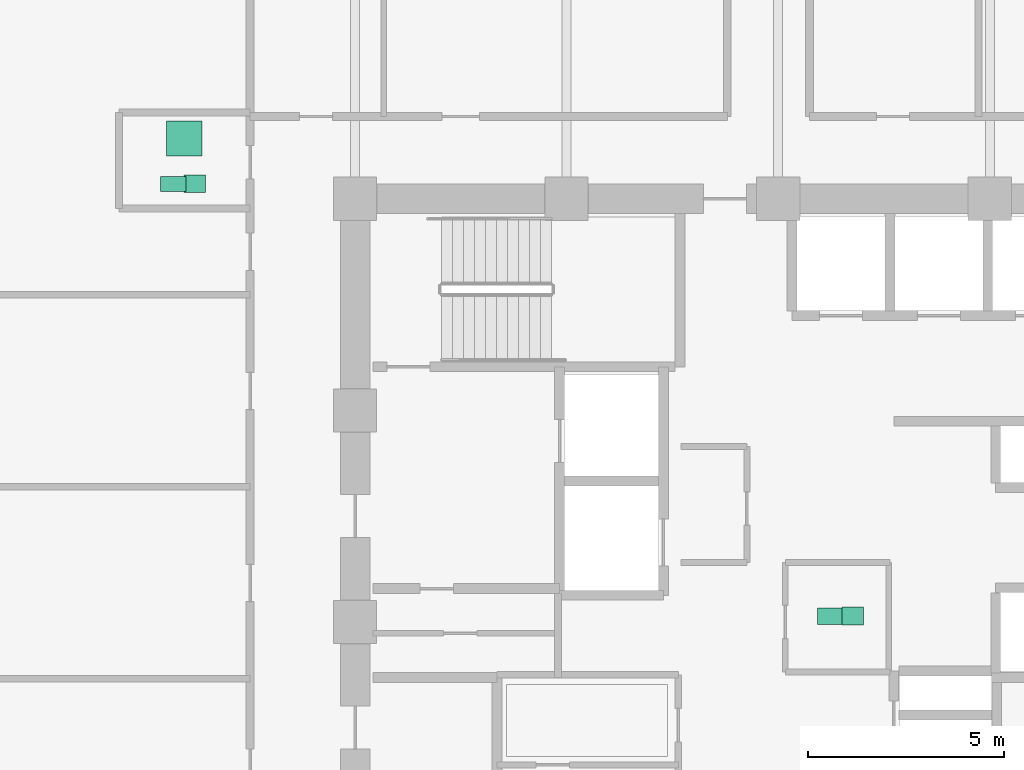
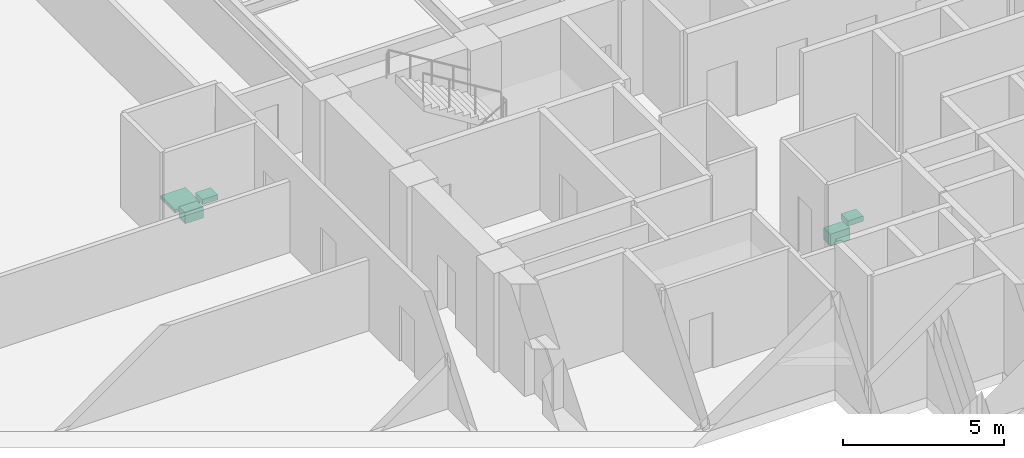
# One storey, part 29 of 30: 5 sanitary terminals.
"""IFC4 building model written with IfcOpenShell, lengths in metres."""

from ifc_helpers import new_model, si_unit, direction, frame, origin, origin_2d, place, context, subcontext, project, spatial, rectangle, extrude, material, type_object, element, save


model = new_model("IFC4")

# Units and contexts
model_context = context("Model", 3, precision=1e-05, world=origin(), true_north=direction((0.0, 1.0)))
body_context = subcontext(model_context, "Body", "Model", "MODEL_VIEW")
ifc_project = project(units=[si_unit("LENGTHUNIT", "METRE"), si_unit("AREAUNIT", "SQUARE_METRE"), si_unit("VOLUMEUNIT", "CUBIC_METRE"), si_unit("PLANEANGLEUNIT", "RADIAN"), si_unit("MASSUNIT", "GRAM", prefix="KILO")], contexts=[model_context])

# Site, building, storey
site_placement = place(None, origin())
site = spatial("IfcSite", under=ifc_project, at=site_placement, CompositionType="ELEMENT")
building_placement = place(site_placement, origin())
building = spatial("IfcBuilding", under=site, at=building_placement, Name="Surkhivell Harbour Commons", CompositionType="ELEMENT")
storey_placement = place(building_placement, frame((0.0, 0.0, 83.25)))
storey = spatial("IfcBuildingStorey", under=building, at=storey_placement, Name="L21", CompositionType="ELEMENT", Elevation=83.25)

# Sanitary terminals
ifc_material_1 = material(Name="Vitreous china washbasin", Category="other")
sanitary_terminal_type_1 = type_object("IfcSanitaryTerminalType", Name="SAN-BSN", PredefinedType="WASHHANDBASIN", material=ifc_material_1)
for number, where, z_axis, x_axis, name in (
    (1, (1.89990234375, 0.14990234375, 0.72021484375), (0.0, 0.0, 1.0), (1.0, 0.0, 0.0), "L21 Core Accessible WC Washbasin"),
    (2, (-14.889892578125, 11.179931640625, 0.72021484375), (0.0, 0.0, 1.0), (1.0, 0.0, 0.0), "L21 West Communal Bathroom WC Washbasin"),
):
    element("IfcSanitaryTerminal", number, at=place(storey_placement, frame(where, z_axis=z_axis, x_axis=x_axis)), inside=storey, type_object=sanitary_terminal_type_1, Name=name, PredefinedType="WASHHANDBASIN", context=body_context, shape_type="SweptSolid", body=[
        extrude(rectangle(XDim=0.550048828125, YDim=0.449951171875, at=origin_2d()), origin(), (0.0, 0.0, 1.0), 0.199951171875),
    ])
ifc_material_2 = material(Name="Glazed porcelain shower tray", Category="other")
sanitary_terminal_type_2 = type_object("IfcSanitaryTerminalType", Name="SAN-SHW", PredefinedType="SHOWER", material=ifc_material_2)
sanitary_terminal_1_placement = place(storey_placement, frame((-15.159912109375, 12.340087890625, 0.0), z_axis=(0.0, 0.0, 1.0), x_axis=(1.0, 0.0, 0.0)))
element("IfcSanitaryTerminal", 3, at=sanitary_terminal_1_placement, inside=storey, type_object=sanitary_terminal_type_2, Name="L21 West Communal Shower Tray", PredefinedType="SHOWER", context=body_context, shape_type="SweptSolid", body=[
    extrude(rectangle(XDim=0.89990234375, YDim=0.89990234375, at=origin_2d()), origin(), (0.0, 0.0, 1.0), 0.1201171875),
])
ifc_material_3 = material(Name="Vitreous china sanitaryware", Category="other")
sanitary_terminal_type_3 = type_object("IfcSanitaryTerminalType", Name="SAN-WC-ACC", PredefinedType="TOILETPAN", material=ifc_material_3)
sanitary_terminal_2_placement = place(storey_placement, frame((1.35009765625, 0.14990234375, 0.169921875), z_axis=(0.0, 0.0, 1.0), x_axis=(1.0, 0.0, 0.0)))
element("IfcSanitaryTerminal", 4, at=sanitary_terminal_2_placement, inside=storey, type_object=sanitary_terminal_type_3, Name="L21 Core Accessible WC", PredefinedType="TOILETPAN", context=body_context, shape_type="SweptSolid", body=[
    extrude(rectangle(XDim=0.699951171875, YDim=0.419921875, at=origin_2d()), origin(), (0.0, 0.0, 1.0), 0.4599609375),
])
sanitary_terminal_type_4 = type_object("IfcSanitaryTerminalType", Name="SAN-WC-STD", PredefinedType="TOILETPAN", material=ifc_material_3)
sanitary_terminal_3_placement = place(storey_placement, frame((-15.43994140625, 11.179931640625, 0.18994140625), z_axis=(0.0, 0.0, 1.0), x_axis=(1.0, 0.0, 0.0)))
element("IfcSanitaryTerminal", 5, at=sanitary_terminal_3_placement, inside=storey, type_object=sanitary_terminal_type_4, Name="L21 West Communal Bathroom WC", PredefinedType="TOILETPAN", context=body_context, shape_type="SweptSolid", body=[
    extrude(rectangle(XDim=0.64990234375, YDim=0.3798828125, at=origin_2d()), origin(), (0.0, 0.0, 1.0), 0.419921875),
])

save(model, "model.ifc")
